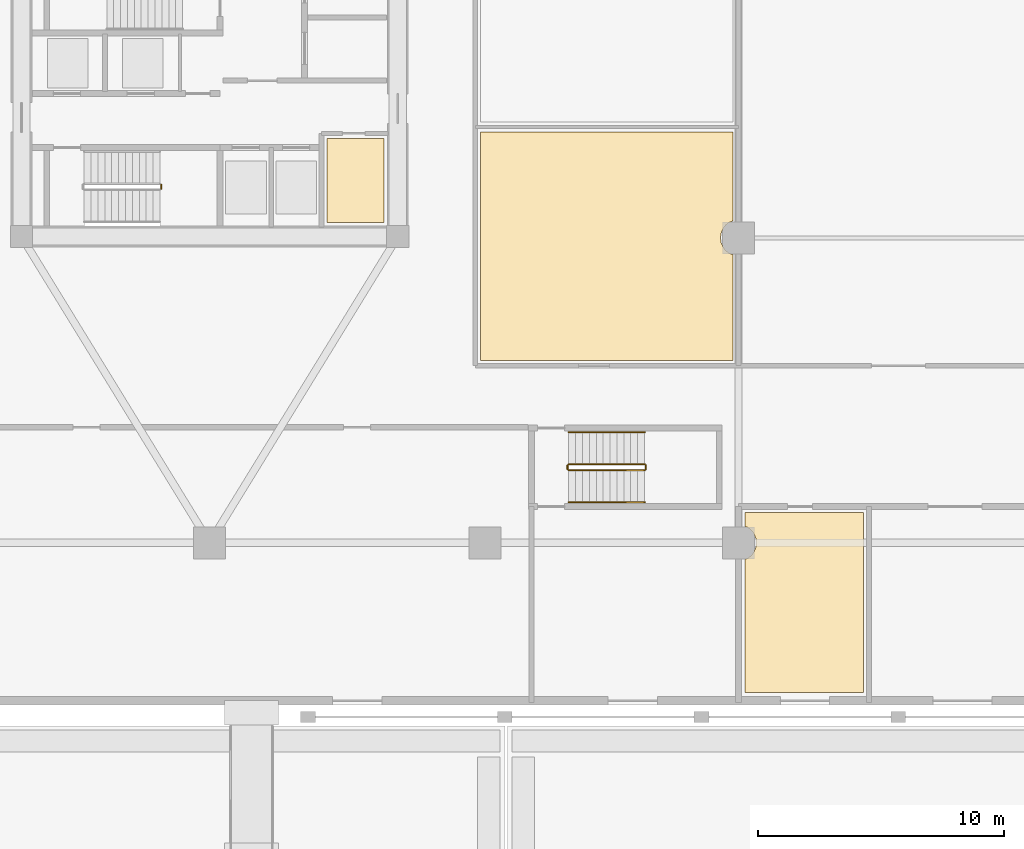
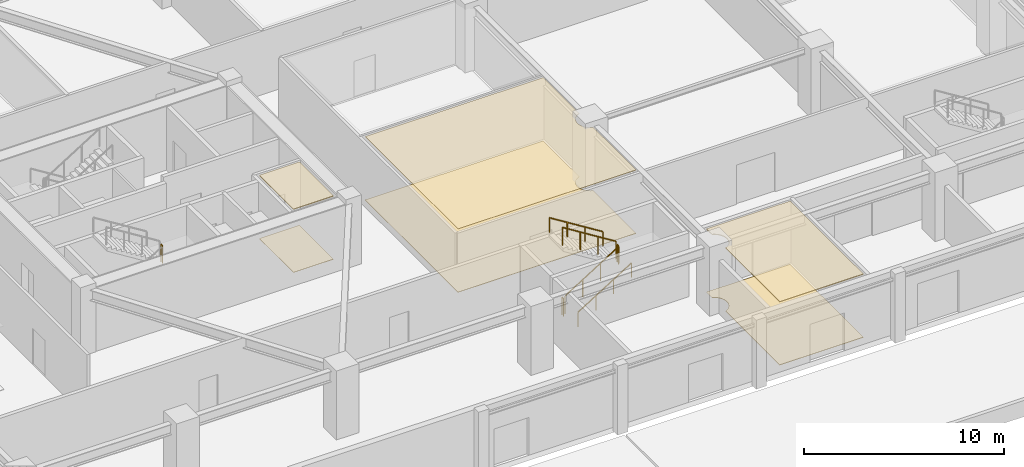
# One storey, part 14 of 22: 7 railings, 6 coverings.
"""IFC4 building model written with IfcOpenShell, lengths in metres."""

from ifc_helpers import new_model, si_unit, direction, frame, origin, origin_2d, place, context, subcontext, project, spatial, polyline, rectangle, outline, extrude, material, layer, layer_set, type_object, element, save


model = new_model("IFC4")

# Units and contexts
model_context = context("Model", 3, precision=1e-05, world=origin(), true_north=direction((0.0, 1.0)))
body_context = subcontext(model_context, "Body", "Model", "MODEL_VIEW")
ifc_project = project(units=[si_unit("LENGTHUNIT", "METRE"), si_unit("AREAUNIT", "SQUARE_METRE"), si_unit("VOLUMEUNIT", "CUBIC_METRE"), si_unit("PLANEANGLEUNIT", "RADIAN"), si_unit("MASSUNIT", "GRAM", prefix="KILO")], contexts=[model_context])

# Site, building, storey
site_placement = place(None, origin())
site = spatial("IfcSite", under=ifc_project, at=site_placement, CompositionType="ELEMENT")
building_placement = place(site_placement, origin())
building = spatial("IfcBuilding", under=site, at=building_placement, Name="Norrkilde Senior Care Towers", CompositionType="ELEMENT")
storey_placement = place(building_placement, origin())
storey = spatial("IfcBuildingStorey", under=building, at=storey_placement, Name="L00", CompositionType="ELEMENT", Elevation=0.0)

# Coverings
ifc_material_1 = material(Name="Nordic Ash Timber", Category="wood")
ifc_layer_1 = layer(ifc_material_1, 0.044921875)
ifc_layer_set_1 = layer_set([ifc_layer_1], Name="Nordic Ash Timber")
covering_type_1 = type_object("IfcCoveringType", Name="Acoustic Ash Timber Slatted Ceiling 45", PredefinedType="CEILING", material=ifc_layer_set_1)
covering_1_placement = place(storey_placement, frame((0.0, 0.0, 3.8349609375)))
element("IfcCovering", 1, at=covering_1_placement, inside=storey, type_object=covering_type_1, Name="L00 Suspended Ceiling 0001", PredefinedType="CEILING", context=body_context, shape_type="SweptSolid", body=[
    extrude(outline(polyline([(-23.22998046875, -1.969970703125), (-20.919921875, -1.969970703125), (-20.919921875, -5.3798828125), (-23.22998046875, -5.3798828125), (-23.22998046875, -1.969970703125)])), origin(), (0.0, 0.0, 1.0), 0.044921875),
])
covering_2_placement = place(storey_placement, frame((0.0, 0.0, 3.8349609375)))
element("IfcCovering", 2, at=covering_2_placement, inside=storey, type_object=covering_type_1, Name="L00 Suspended Ceiling 0019", PredefinedType="CEILING", context=body_context, shape_type="SweptSolid", body=[
    extrude(outline(polyline([(-1.419921875, -24.47998046875), (-6.239990234375, -24.47998046875), (-6.239990234375, -19.07568359375), (-6.135009765625, -19.0322265625), (-5.98388671875, -18.916259765625), (-5.867919921875, -18.764892578125), (-5.794921875, -18.5888671875), (-5.77001953125, -18.39990234375), (-5.794921875, -18.211181640625), (-5.867919921875, -18.034912109375), (-5.98388671875, -17.8837890625), (-6.135009765625, -17.767822265625), (-6.239990234375, -17.724365234375), (-6.239990234375, -17.159912109375), (-1.419921875, -17.159912109375), (-1.419921875, -24.47998046875)])), origin(), (0.0, 0.0, 1.0), 0.044921875),
])
ifc_material_2 = material(Name="Gypsum Acoustic Board")
ifc_layer_2 = layer(ifc_material_2, 0.030029296875)
ifc_layer_set_2 = layer_set([ifc_layer_2], Name="Gypsum Acoustic Board")
covering_type_2 = type_object("IfcCoveringType", Name="Medical Cleanable Gypsum Ceiling 30", PredefinedType="CEILING", material=ifc_layer_set_2)
covering_3_placement = place(storey_placement, frame((0.0, 0.0, 3.85009765625)))
element("IfcCovering", 3, at=covering_3_placement, inside=storey, type_object=covering_type_2, Name="L00 Suspended Ceiling 0007", PredefinedType="CEILING", context=body_context, shape_type="SweptSolid", body=[
    extrude(outline(polyline([(-6.719970703125, -5.307861328125), (-6.864990234375, -5.367919921875), (-7.01611328125, -5.48388671875), (-7.132080078125, -5.635009765625), (-7.205078125, -5.81103515625), (-7.22998046875, -6.0), (-7.205078125, -6.18896484375), (-7.132080078125, -6.364990234375), (-7.01611328125, -6.51611328125), (-6.864990234375, -6.632080078125), (-6.719970703125, -6.692138671875), (-6.719970703125, -10.97998046875), (-16.97998046875, -10.97998046875), (-16.97998046875, -1.699951171875), (-6.719970703125, -1.699951171875), (-6.719970703125, -5.307861328125)])), origin(), (0.0, 0.0, 1.0), 0.02978515625),
])
ifc_material_3 = material(Name="Slip-Resistant Porcelain Stone", Category="masonry")
ifc_layer_3 = layer(ifc_material_3, 0.02490234375)
ifc_layer_set_3 = layer_set([ifc_layer_3], Name="Slip-Resistant Porcelain Stone")
covering_type_3 = type_object("IfcCoveringType", Name="Slip-Resistant Porcelain Flooring 25", PredefinedType="FLOORING", material=ifc_layer_set_3)
covering_4_placement = place(storey_placement, origin())
element("IfcCovering", 4, at=covering_4_placement, inside=storey, type_object=covering_type_3, Name="L00 Floor Finish 0001", PredefinedType="FLOORING", context=body_context, shape_type="SweptSolid", body=[
    extrude(outline(polyline([(-23.22998046875, -1.969970703125), (-20.919921875, -1.969970703125), (-20.919921875, -5.3798828125), (-23.22998046875, -5.3798828125), (-23.22998046875, -1.969970703125)])), origin(), (0.0, 0.0, 1.0), 0.02490234375),
])
covering_5_placement = place(storey_placement, origin())
element("IfcCovering", 5, at=covering_5_placement, inside=storey, type_object=covering_type_3, Name="L00 Floor Finish 0007", PredefinedType="FLOORING", context=body_context, shape_type="SweptSolid", body=[
    extrude(outline(polyline([(-6.719970703125, -5.307861328125), (-6.864990234375, -5.367919921875), (-7.01611328125, -5.48388671875), (-7.132080078125, -5.635009765625), (-7.205078125, -5.81103515625), (-7.22998046875, -6.0), (-7.205078125, -6.18896484375), (-7.132080078125, -6.364990234375), (-7.01611328125, -6.51611328125), (-6.864990234375, -6.632080078125), (-6.719970703125, -6.692138671875), (-6.719970703125, -10.97998046875), (-16.97998046875, -10.97998046875), (-16.97998046875, -1.699951171875), (-6.719970703125, -1.699951171875), (-6.719970703125, -5.307861328125)])), origin(), (0.0, 0.0, 1.0), 0.02490234375),
])
covering_6_placement = place(storey_placement, origin())
element("IfcCovering", 6, at=covering_6_placement, inside=storey, type_object=covering_type_3, Name="L00 Floor Finish 0019", PredefinedType="FLOORING", context=body_context, shape_type="SweptSolid", body=[
    extrude(outline(polyline([(-1.419921875, -24.47998046875), (-6.239990234375, -24.47998046875), (-6.239990234375, -19.07568359375), (-6.135009765625, -19.0322265625), (-5.98388671875, -18.916259765625), (-5.867919921875, -18.764892578125), (-5.794921875, -18.5888671875), (-5.77001953125, -18.39990234375), (-5.794921875, -18.211181640625), (-5.867919921875, -18.034912109375), (-5.98388671875, -17.8837890625), (-6.135009765625, -17.767822265625), (-6.239990234375, -17.724365234375), (-6.239990234375, -17.159912109375), (-1.419921875, -17.159912109375), (-1.419921875, -24.47998046875)])), origin(), (0.0, 0.0, 1.0), 0.02490234375),
])

# Railings
ifc_material_4 = material(Name="Stainless Steel", Category="steel")
railing_type_1 = type_object("IfcRailingType", Name="Stair and Terrace Guardrail 1100", PredefinedType="GUARDRAIL", material=ifc_material_4)
railing_1_placement = place(storey_placement, frame((-29.969970703125, -4.0, 2.10009765625)))
element("IfcRailing", 7, at=railing_1_placement, inside=storey, type_object=railing_type_1, Name="L00 ST-W2 stair guard 2", PredefinedType="GUARDRAIL", context=body_context, shape_type="SweptSolid", body=[
    extrude(rectangle(XDim=0.048095703125, YDim=0.048095703125, at=origin_2d()), frame((0.0, 0.0, 1.076171875), z_axis=(0.0, 1.0, 0.0), x_axis=(-1.0, 0.0, 0.0)), (0.0, 0.0, 1.0), 0.14990234375),
    extrude(rectangle(XDim=0.0419921875, YDim=0.0419921875, at=origin_2d()), origin(), (0.0, 0.0, 1.0), 1.050048828125),
    extrude(rectangle(XDim=0.0419921875, YDim=0.0419921875, at=origin_2d()), frame((0.0, 0.14990234375, 0.0)), (0.0, 0.0, 1.0), 1.050048828125),
])
railing_2_placement = place(storey_placement, frame((-13.39990234375, -15.449951171875, 0.175048828125)))
element("IfcRailing", 8, at=railing_2_placement, inside=storey, type_object=railing_type_1, Name="L00 ST-P1 stair guard 1", PredefinedType="GUARDRAIL", context=body_context, shape_type="SweptSolid", body=[
    extrude(rectangle(XDim=0.048095703125, YDim=0.048095703125, at=origin_2d()), frame((0.0, 0.0, 1.076171875), z_axis=(0.847979421464, 0.0, 0.530029150871), x_axis=(0.0, 1.0, 0.0)), (0.0, 0.0, 1.0), 3.632080078125),
    extrude(rectangle(XDim=0.0419921875, YDim=0.0419921875, at=origin_2d()), origin(), (0.0, 0.0, 1.0), 1.050048828125),
    extrude(rectangle(XDim=0.0419921875, YDim=0.0419921875, at=origin_2d()), frame((1.026611328125, 0.0, 0.6416015625)), (0.0, 0.0, 1.0), 1.050048828125),
    extrude(rectangle(XDim=0.0419921875, YDim=0.0419921875, at=origin_2d()), frame((2.05322265625, 0.0, 1.283447265625)), (0.0, 0.0, 1.0), 1.050048828125),
    extrude(rectangle(XDim=0.0419921875, YDim=0.0419921875, at=origin_2d()), frame((3.079833984375, 0.0, 1.925048828125)), (0.0, 0.0, 1.0), 1.050048828125),
])
railing_3_placement = place(storey_placement, frame((-10.27001953125, -15.39990234375, 2.10009765625)))
element("IfcRailing", 9, at=railing_3_placement, inside=storey, type_object=railing_type_1, Name="L00 ST-P1 stair guard 2", PredefinedType="GUARDRAIL", context=body_context, shape_type="SweptSolid", body=[
    extrude(rectangle(XDim=0.048095703125, YDim=0.048095703125, at=origin_2d()), frame((0.0, 0.0, 1.076171875), z_axis=(0.0, 1.0, 0.0), x_axis=(-1.0, 0.0, 0.0)), (0.0, 0.0, 1.0), 0.14990234375),
    extrude(rectangle(XDim=0.0419921875, YDim=0.0419921875, at=origin_2d()), origin(), (0.0, 0.0, 1.0), 1.050048828125),
    extrude(rectangle(XDim=0.0419921875, YDim=0.0419921875, at=origin_2d()), frame((0.0, 0.14990234375, 0.0)), (0.0, 0.0, 1.0), 1.050048828125),
])
railing_4_placement = place(storey_placement, frame((-10.320068359375, -15.199951171875, 2.27490234375)))
element("IfcRailing", 10, at=railing_4_placement, inside=storey, type_object=railing_type_1, Name="L00 ST-P1 stair guard 3", PredefinedType="GUARDRAIL", context=body_context, shape_type="SweptSolid", body=[
    extrude(rectangle(XDim=0.048095703125, YDim=0.048095703125, at=origin_2d()), frame((0.0, 0.0, 1.076171875), z_axis=(-0.847979421464, 0.0, 0.530029150871), x_axis=(0.0, -1.0, 0.0)), (0.0, 0.0, 1.0), 3.632080078125),
    extrude(rectangle(XDim=0.0419921875, YDim=0.0419921875, at=origin_2d()), origin(), (0.0, 0.0, 1.0), 1.050048828125),
    extrude(rectangle(XDim=0.0419921875, YDim=0.0419921875, at=origin_2d()), frame((-1.026611328125, 0.0, 0.6416015625)), (0.0, 0.0, 1.0), 1.050048828125),
    extrude(rectangle(XDim=0.0419921875, YDim=0.0419921875, at=origin_2d()), frame((-2.05322265625, 0.0, 1.283447265625)), (0.0, 0.0, 1.0), 1.050048828125),
    extrude(rectangle(XDim=0.0419921875, YDim=0.0419921875, at=origin_2d()), frame((-3.079833984375, 0.0, 1.925048828125)), (0.0, 0.0, 1.0), 1.050048828125),
])
railing_5_placement = place(storey_placement, frame((-13.449951171875, -15.39990234375, 0.0)))
element("IfcRailing", 11, at=railing_5_placement, inside=storey, type_object=railing_type_1, Name="L00 ST-P1 stair guard 4", PredefinedType="GUARDRAIL", context=body_context, shape_type="SweptSolid", body=[
    extrude(rectangle(XDim=0.048095703125, YDim=0.048095703125, at=origin_2d()), frame((0.0, 0.0, 1.076171875), z_axis=(0.0, 1.0, 0.0), x_axis=(-1.0, 0.0, 0.0)), (0.0, 0.0, 1.0), 0.14990234375),
    extrude(rectangle(XDim=0.0419921875, YDim=0.0419921875, at=origin_2d()), origin(), (0.0, 0.0, 1.0), 1.050048828125),
    extrude(rectangle(XDim=0.0419921875, YDim=0.0419921875, at=origin_2d()), frame((0.0, 0.14990234375, 0.0)), (0.0, 0.0, 1.0), 1.050048828125),
])
railing_type_2 = type_object("IfcRailingType", Name="Wall and Stair Handrail 900", PredefinedType="HANDRAIL", material=ifc_material_1)
railing_6_placement = place(storey_placement, frame((-13.39990234375, -16.75, 0.175048828125)))
element("IfcRailing", 12, at=railing_6_placement, inside=storey, type_object=railing_type_2, Name="L00 ST-P1 stair handrail 1", PredefinedType="HANDRAIL", context=body_context, shape_type="SweptSolid", body=[
    extrude(rectangle(XDim=0.048095703125, YDim=0.048095703125, at=origin_2d()), frame((0.0, 0.0, 0.8759765625), z_axis=(0.847979421464, 0.0, 0.530029150871), x_axis=(0.0, 1.0, 0.0)), (0.0, 0.0, 1.0), 3.632080078125),
    extrude(rectangle(XDim=0.0419921875, YDim=0.0419921875, at=origin_2d()), origin(), (0.0, 0.0, 1.0), 0.849853515625),
    extrude(rectangle(XDim=0.0419921875, YDim=0.0419921875, at=origin_2d()), frame((1.026611328125, 0.0, 0.6416015625)), (0.0, 0.0, 1.0), 0.849853515625),
    extrude(rectangle(XDim=0.0419921875, YDim=0.0419921875, at=origin_2d()), frame((2.05322265625, 0.0, 1.283447265625)), (0.0, 0.0, 1.0), 0.849853515625),
    extrude(rectangle(XDim=0.0419921875, YDim=0.0419921875, at=origin_2d()), frame((3.079833984375, 0.0, 1.925048828125)), (0.0, 0.0, 1.0), 0.849853515625),
])
railing_7_placement = place(storey_placement, frame((-10.320068359375, -13.89990234375, 2.27490234375)))
element("IfcRailing", 13, at=railing_7_placement, inside=storey, type_object=railing_type_2, Name="L00 ST-P1 stair handrail 2", PredefinedType="HANDRAIL", context=body_context, shape_type="SweptSolid", body=[
    extrude(rectangle(XDim=0.048095703125, YDim=0.048095703125, at=origin_2d()), frame((0.0, 0.0, 0.8759765625), z_axis=(-0.847979421464, 0.0, 0.530029150871), x_axis=(0.0, -1.0, 0.0)), (0.0, 0.0, 1.0), 3.632080078125),
    extrude(rectangle(XDim=0.0419921875, YDim=0.0419921875, at=origin_2d()), origin(), (0.0, 0.0, 1.0), 0.849853515625),
    extrude(rectangle(XDim=0.0419921875, YDim=0.0419921875, at=origin_2d()), frame((-1.026611328125, 0.0, 0.6416015625)), (0.0, 0.0, 1.0), 0.849853515625),
    extrude(rectangle(XDim=0.0419921875, YDim=0.0419921875, at=origin_2d()), frame((-2.05322265625, 0.0, 1.283447265625)), (0.0, 0.0, 1.0), 0.849853515625),
    extrude(rectangle(XDim=0.0419921875, YDim=0.0419921875, at=origin_2d()), frame((-3.079833984375, 0.0, 1.925048828125)), (0.0, 0.0, 1.0), 0.849853515625),
])

save(model, "model.ifc")
